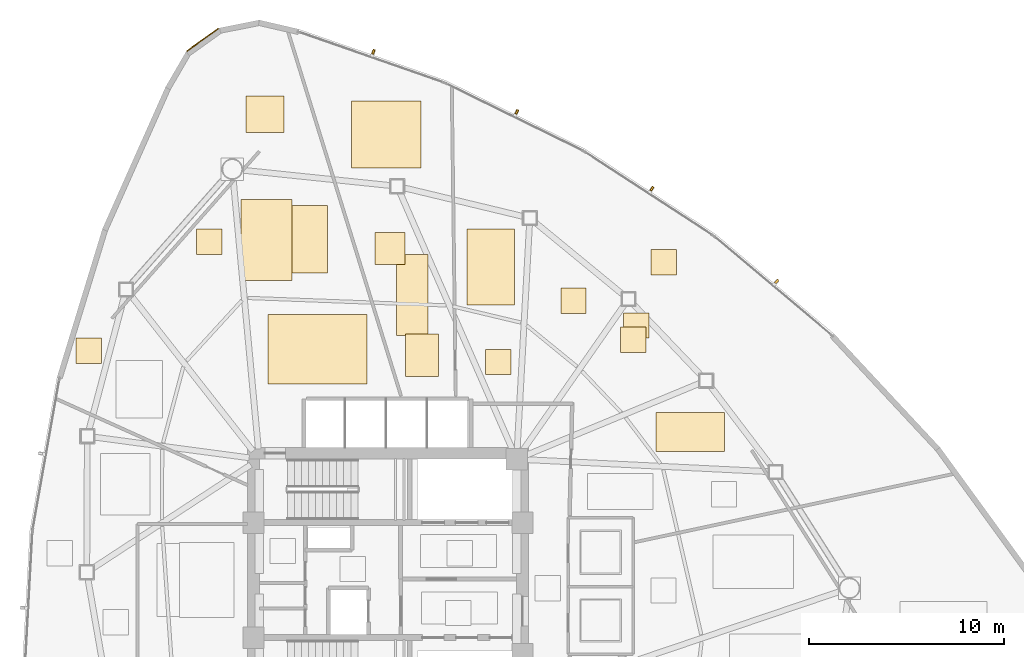
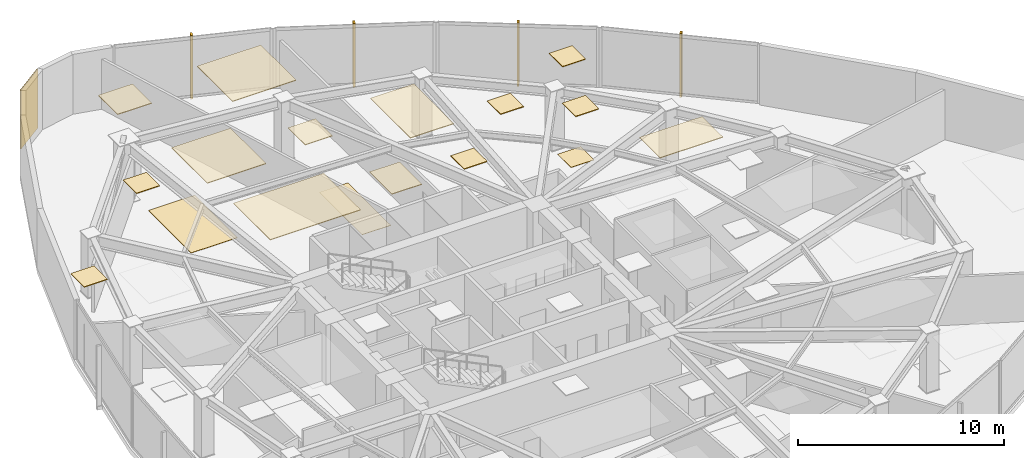
# One storey, part 17 of 17: 18 coverings, 4 shading devices.
"""IFC4 building model written with IfcOpenShell, lengths in metres."""

from ifc_helpers import new_model, si_unit, direction, frame, origin, origin_2d, place, context, subcontext, project, spatial, polyline, rectangle, outline, extrude, source, transform, mapped, material, layer, layer_set, type_object, type_shapes, element, save


model = new_model("IFC4")

# Units and contexts
model_context = context("Model", 3, precision=1e-05, world=origin(), true_north=direction((0.0, 1.0)))
body_context = subcontext(model_context, "Body", "Model", "MODEL_VIEW")
ifc_project = project(units=[si_unit("LENGTHUNIT", "METRE"), si_unit("AREAUNIT", "SQUARE_METRE"), si_unit("VOLUMEUNIT", "CUBIC_METRE"), si_unit("PLANEANGLEUNIT", "RADIAN"), si_unit("MASSUNIT", "GRAM", prefix="KILO")], contexts=[model_context])

# Site, building, storey
site_placement = place(None, origin())
site = spatial("IfcSite", under=ifc_project, at=site_placement, CompositionType="ELEMENT")
building_placement = place(site_placement, origin())
building = spatial("IfcBuilding", under=site, at=building_placement, Name="Tavelor Broadcast Tower", CompositionType="ELEMENT")
storey_placement = place(building_placement, frame((0.0, 0.0, 131.0)))
storey = spatial("IfcBuildingStorey", under=building, at=storey_placement, Name="L30", CompositionType="ELEMENT", Elevation=131.0)

# Coverings
ifc_material_1 = material(Name="Copper-Bronze Anodized Aluminium", Category="aluminium")
ifc_layer_1 = layer(ifc_material_1, 0.050048828125)
ifc_layer_set_1 = layer_set([ifc_layer_1], Name="Copper-Bronze Anodized Aluminium")
covering_type_1 = type_object("IfcCoveringType", Name="Champagne-Bronze Corner Pier Metal Cladding 50 mm", PredefinedType="CLADDING", material=ifc_layer_set_1)
covering_1_placement = place(storey_placement, frame((40.492431640625, 72.712646484375, 0.02001953125), z_axis=(0.0, 0.0, 1.0), x_axis=(-0.813608449501, -0.58141318432, 0.0)))
element("IfcCovering", 1, at=covering_1_placement, inside=storey, type_object=covering_type_1, Name="L30 Champagne-Bronze Corner Cladding 03", PredefinedType="CLADDING", context=body_context, shape_type="SweptSolid", body=[
    extrude(rectangle(XDim=1.993896484375, YDim=0.050048828125, at=origin_2d()), origin(), (0.0, 0.0, 1.0), 3.510009765625),
])
ifc_material_2 = material(Name="Acoustic Nylon Carpet Tile")
ifc_layer_2 = layer(ifc_material_2, 0.02001953125)
ifc_layer_set_2 = layer_set([ifc_layer_2], Name="Acoustic Nylon Carpet Tile")
covering_type_2 = type_object("IfcCoveringType", Name="Heavy-Duty Acoustic Broadcast Carpet Tile 20 mm", PredefinedType="FLOORING", material=ifc_layer_set_2)
covering_2_placement = place(storey_placement, origin())
element("IfcCovering", 2, at=covering_2_placement, inside=storey, type_object=covering_type_2, Name="L30 Broadcast Floor Finish 0428", PredefinedType="FLOORING", context=body_context, shape_type="SweptSolid", body=[
    extrude(outline(polyline([(42.47216796875, 60.36572265625), (45.070556640625, 60.36572265625), (45.070556640625, 64.52490234375), (42.47216796875, 64.52490234375), (42.47216796875, 60.36572265625)])), origin(), (0.0, 0.0, 1.0), 0.02001953125),
])
covering_3_placement = place(storey_placement, origin())
element("IfcCovering", 3, at=covering_3_placement, inside=storey, type_object=covering_type_2, Name="L30 Broadcast Floor Finish 0429", PredefinedType="FLOORING", context=body_context, shape_type="SweptSolid", body=[
    extrude(outline(polyline([(50.44091796875, 57.54248046875), (52.0478515625, 57.54248046875), (52.0478515625, 61.69970703125), (50.44091796875, 61.69970703125), (50.44091796875, 57.54248046875)])), origin(), (0.0, 0.0, 1.0), 0.02001953125),
])
covering_4_placement = place(storey_placement, origin())
element("IfcCovering", 4, at=covering_4_placement, inside=storey, type_object=covering_type_2, Name="L30 Broadcast Floor Finish 0430", PredefinedType="FLOORING", context=body_context, shape_type="SweptSolid", body=[
    extrude(outline(polyline([(62.08935546875, 57.404296875), (63.389404296875, 57.404296875), (63.389404296875, 58.7041015625), (62.08935546875, 58.7041015625), (62.08935546875, 57.404296875)])), origin(), (0.0, 0.0, 1.0), 0.02001953125),
])
ifc_material_3 = material(Name="Acoustic Mineral Fibre Tile")
ifc_layer_3 = layer(ifc_material_3, 0.0400390625)
ifc_layer_set_3 = layer_set([ifc_layer_3], Name="Acoustic Mineral Fibre Tile")
covering_type_3 = type_object("IfcCoveringType", Name="Suspended Acoustic Mineral-Fibre Office Ceiling 40 mm", PredefinedType="CEILING", material=ifc_layer_set_3)
covering_5_placement = place(storey_placement, frame((0.0, 0.0, 3.510009765625)))
element("IfcCovering", 5, at=covering_5_placement, inside=storey, type_object=covering_type_3, Name="L30 Suspended Acoustic Ceiling 1212", PredefinedType="CEILING", context=body_context, shape_type="SweptSolid", body=[
    extrude(outline(polyline([(34.006591796875, 56.114501953125), (35.306396484375, 56.114501953125), (35.306396484375, 57.41455078125), (34.006591796875, 57.41455078125), (34.006591796875, 56.114501953125)])), origin(), (0.0, 0.0, 1.0), 0.0400390625),
])
covering_6_placement = place(storey_placement, frame((0.0, 0.0, 3.510009765625)))
element("IfcCovering", 6, at=covering_6_placement, inside=storey, type_object=covering_type_3, Name="L30 Suspended Acoustic Ceiling 1214", PredefinedType="CEILING", context=body_context, shape_type="SweptSolid", body=[
    extrude(outline(polyline([(40.17724609375, 61.71240234375), (41.477294921875, 61.71240234375), (41.477294921875, 63.012451171875), (40.17724609375, 63.012451171875), (40.17724609375, 61.71240234375)])), origin(), (0.0, 0.0, 1.0), 0.0400390625),
])
covering_7_placement = place(storey_placement, frame((0.0, 0.0, 3.510009765625)))
element("IfcCovering", 7, at=covering_7_placement, inside=storey, type_object=covering_type_3, Name="L30 Suspended Acoustic Ceiling 1215", PredefinedType="CEILING", context=body_context, shape_type="SweptSolid", body=[
    extrude(outline(polyline([(43.58984375, 60.748291015625), (46.89697265625, 60.748291015625), (46.89697265625, 64.21240234375), (43.58984375, 64.21240234375), (43.58984375, 60.748291015625)])), origin(), (0.0, 0.0, 1.0), 0.0400390625),
])
covering_8_placement = place(storey_placement, frame((0.0, 0.0, 3.510009765625)))
element("IfcCovering", 8, at=covering_8_placement, inside=storey, type_object=covering_type_3, Name="L30 Suspended Acoustic Ceiling 1216", PredefinedType="CEILING", context=body_context, shape_type="SweptSolid", body=[
    extrude(outline(polyline([(42.72412109375, 67.96875), (44.6533203125, 67.96875), (44.6533203125, 69.841796875), (42.72412109375, 69.841796875), (42.72412109375, 67.96875)])), origin(), (0.0, 0.0, 1.0), 0.0400390625),
])
covering_9_placement = place(storey_placement, frame((0.0, 0.0, 3.510009765625)))
element("IfcCovering", 9, at=covering_9_placement, inside=storey, type_object=covering_type_3, Name="L30 Suspended Acoustic Ceiling 1217", PredefinedType="CEILING", context=body_context, shape_type="SweptSolid", body=[
    extrude(outline(polyline([(43.840576171875, 55.055908203125), (48.92138671875, 55.055908203125), (48.92138671875, 58.6298828125), (43.840576171875, 58.6298828125), (43.840576171875, 55.055908203125)])), origin(), (0.0, 0.0, 1.0), 0.0400390625),
])
covering_10_placement = place(storey_placement, frame((0.0, 0.0, 3.510009765625)))
element("IfcCovering", 10, at=covering_10_placement, inside=storey, type_object=covering_type_3, Name="L30 Suspended Acoustic Ceiling 1218", PredefinedType="CEILING", context=body_context, shape_type="SweptSolid", body=[
    extrude(outline(polyline([(48.122314453125, 66.1376953125), (51.7001953125, 66.1376953125), (51.7001953125, 69.5791015625), (48.122314453125, 69.5791015625), (48.122314453125, 66.1376953125)])), origin(), (0.0, 0.0, 1.0), 0.0400390625),
])
covering_11_placement = place(storey_placement, frame((0.0, 0.0, 3.510009765625)))
element("IfcCovering", 11, at=covering_11_placement, inside=storey, type_object=covering_type_3, Name="L30 Suspended Acoustic Ceiling 1219", PredefinedType="CEILING", context=body_context, shape_type="SweptSolid", body=[
    extrude(outline(polyline([(50.903564453125, 55.44580078125), (52.579833984375, 55.44580078125), (52.579833984375, 57.619384765625), (50.903564453125, 57.619384765625), (50.903564453125, 55.44580078125)])), origin(), (0.0, 0.0, 1.0), 0.0400390625),
])
covering_12_placement = place(storey_placement, frame((0.0, 0.0, 3.510009765625)))
element("IfcCovering", 12, at=covering_12_placement, inside=storey, type_object=covering_type_3, Name="L30 Suspended Acoustic Ceiling 1220", PredefinedType="CEILING", context=body_context, shape_type="SweptSolid", body=[
    extrude(outline(polyline([(49.339599609375, 61.17822265625), (50.871826171875, 61.17822265625), (50.871826171875, 62.84130859375), (49.339599609375, 62.84130859375), (49.339599609375, 61.17822265625)])), origin(), (0.0, 0.0, 1.0), 0.0400390625),
])
covering_13_placement = place(storey_placement, frame((0.0, 0.0, 3.510009765625)))
element("IfcCovering", 13, at=covering_13_placement, inside=storey, type_object=covering_type_3, Name="L30 Suspended Acoustic Ceiling 1221", PredefinedType="CEILING", context=body_context, shape_type="SweptSolid", body=[
    extrude(outline(polyline([(55.005126953125, 55.534912109375), (56.30517578125, 55.534912109375), (56.30517578125, 56.834716796875), (55.005126953125, 56.834716796875), (55.005126953125, 55.534912109375)])), origin(), (0.0, 0.0, 1.0), 0.0400390625),
])
covering_14_placement = place(storey_placement, frame((0.0, 0.0, 3.510009765625)))
element("IfcCovering", 14, at=covering_14_placement, inside=storey, type_object=covering_type_3, Name="L30 Suspended Acoustic Ceiling 1222", PredefinedType="CEILING", context=body_context, shape_type="SweptSolid", body=[
    extrude(outline(polyline([(54.060791015625, 59.122314453125), (56.496826171875, 59.122314453125), (56.496826171875, 63.00634765625), (54.060791015625, 63.00634765625), (54.060791015625, 59.122314453125)])), origin(), (0.0, 0.0, 1.0), 0.0400390625),
])
covering_15_placement = place(storey_placement, frame((0.0, 0.0, 3.510009765625)))
element("IfcCovering", 15, at=covering_15_placement, inside=storey, type_object=covering_type_3, Name="L30 Suspended Acoustic Ceiling 1223", PredefinedType="CEILING", context=body_context, shape_type="SweptSolid", body=[
    extrude(outline(polyline([(63.4931640625, 60.6591796875), (64.793212890625, 60.6591796875), (64.793212890625, 61.959228515625), (63.4931640625, 61.959228515625), (63.4931640625, 60.6591796875)])), origin(), (0.0, 0.0, 1.0), 0.0400390625),
])
covering_16_placement = place(storey_placement, frame((0.0, 0.0, 3.510009765625)))
element("IfcCovering", 16, at=covering_16_placement, inside=storey, type_object=covering_type_3, Name="L30 Suspended Acoustic Ceiling 1224", PredefinedType="CEILING", context=body_context, shape_type="SweptSolid", body=[
    extrude(outline(polyline([(63.73876953125, 51.58544921875), (67.26220703125, 51.58544921875), (67.26220703125, 53.59423828125), (63.73876953125, 53.59423828125), (63.73876953125, 51.58544921875)])), origin(), (0.0, 0.0, 1.0), 0.0400390625),
])
covering_17_placement = place(storey_placement, frame((0.0, 0.0, 3.510009765625)))
element("IfcCovering", 17, at=covering_17_placement, inside=storey, type_object=covering_type_3, Name="L30 Suspended Acoustic Ceiling 1227", PredefinedType="CEILING", context=body_context, shape_type="SweptSolid", body=[
    extrude(outline(polyline([(61.929931640625, 56.683837890625), (63.22998046875, 56.683837890625), (63.22998046875, 57.98388671875), (61.929931640625, 57.98388671875), (61.929931640625, 56.683837890625)])), origin(), (0.0, 0.0, 1.0), 0.0400390625),
])
covering_18_placement = place(storey_placement, frame((0.0, 0.0, 3.510009765625)))
element("IfcCovering", 18, at=covering_18_placement, inside=storey, type_object=covering_type_3, Name="L30 Suspended Acoustic Ceiling 1228", PredefinedType="CEILING", context=body_context, shape_type="SweptSolid", body=[
    extrude(outline(polyline([(58.86669921875, 58.669921875), (60.166748046875, 58.669921875), (60.166748046875, 59.969970703125), (58.86669921875, 59.969970703125), (58.86669921875, 58.669921875)])), origin(), (0.0, 0.0, 1.0), 0.0400390625),
])

# Shading devices
ifc_material_4 = material(Name="Kiln-Fired Glazed Terracotta", Category="masonry")
shading_device_type = type_object("IfcShadingDeviceType", Name="Extruded Terracotta Baguette Sun-Screen 110x240", PredefinedType="JALOUSIE", material=ifc_material_4)
shared_shape = source(origin(), body_context, "Body", "SweptSolid", [
    extrude(rectangle(XDim=0.110107421875, YDim=0.239990234375, at=origin_2d()), origin(), (0.0, 0.0, 1.0), 3.7900390625),
])
type_shapes(shading_device_type, [shared_shape])
for number, where, z_axis, x_axis, name in (
    (19, (69.943603515625, 60.31884765625, -0.260009765625), (0.0, 0.0, 1.0), (-0.765146195875, 0.643856582585, 0.0), "L30 Terracotta Baguette Fin 297"),
    (20, (63.541259765625, 65.073486328125, -0.260009765625), (0.0, 0.0, 1.0), (-0.837528040042, 0.546394346734, 0.0), "L30 Terracotta Baguette Fin 298"),
    (21, (56.610595703125, 69.018798828125, -0.260009765625), (0.0, 0.0, 1.0), (-0.897489418593, 0.441035988909, 0.0), "L30 Terracotta Baguette Fin 299"),
    (22, (49.25341796875, 72.09619140625, -0.260009765625), (0.0, 0.0, 1.0), (-0.944261516589, 0.329196276237, 0.0), "L30 Terracotta Baguette Fin 300"),
):
    element("IfcShadingDevice", number, at=place(storey_placement, frame(where, z_axis=z_axis, x_axis=x_axis)), inside=storey, type_object=shading_device_type, Name=name, PredefinedType="JALOUSIE", context=body_context, shape_type="MappedRepresentation", body=[
        mapped(shared_shape, transform((0.0, 0.0, 0.0), scale=1.0)),
    ])

save(model, "model.ifc")
